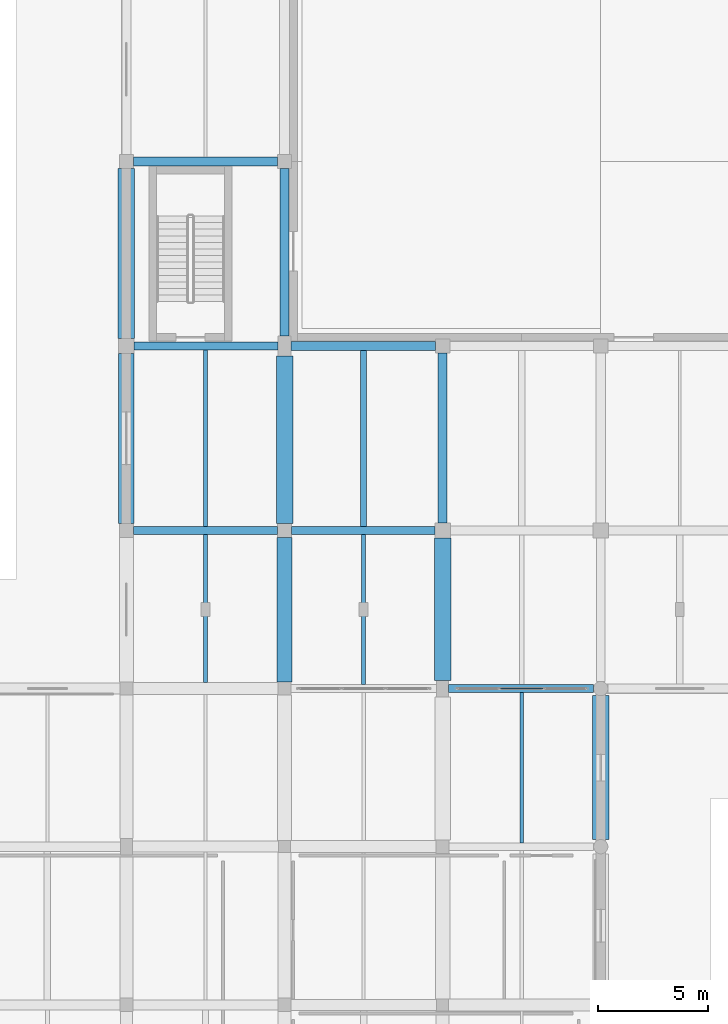
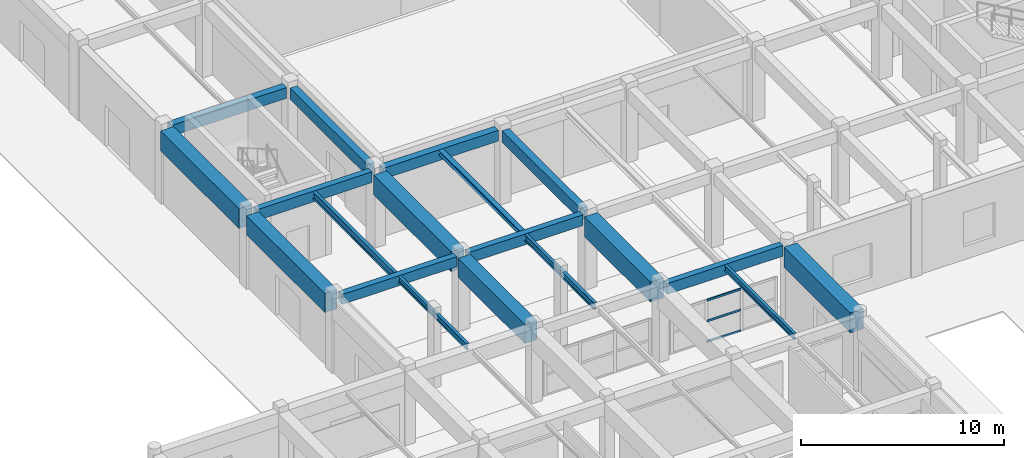
# One storey, part 8 of 72: 19 beams, 3 members, 1 element without a shape of its own.
"""IFC4 building model written with IfcOpenShell, lengths in metres."""

import ifcopenshell
import ifcopenshell.guid

model = None  # the IFC model being written
_history = None  # IfcOwnerHistory: only IFC2X3 demands one
_inside = {}  # id of a spatial element -> (the spatial element, [elements in it])
_under = {}  # id of a project, library or spatial element -> (it, [spatial elements below it])
_declared = {}  # id of a project -> (the project, [libraries it declares])
_typed = {}  # id of a type object -> (the type object, [elements of that type])
_made_of = {}  # id of a material, layer set ... -> (it, [elements and type objects made of it])


def new_model(schema):
    """Start an empty IFC model of exactly this schema.

    Asked for "IFC4X3", IfcOpenShell would pick the latest addendum, in which some entities
    have other attributes; the version numbers below select the first issue.
    IFC2X3 requires an IfcOwnerHistory on every rooted entity: one is made here for all.
    """
    global model, _history
    if schema == "IFC4X3":
        model = ifcopenshell.file(schema_version=(4, 3, 0, 0))
    else:
        model = ifcopenshell.file(schema=schema)
    _inside.clear()
    _under.clear()
    _declared.clear()
    _typed.clear()
    _made_of.clear()
    _history = None
    if model.schema == "IFC2X3":
        org = make("IfcOrganization", Name="unknown")
        user = make(
            "IfcPersonAndOrganization",
            ThePerson=make("IfcPerson", FamilyName="unknown"),
            TheOrganization=org,
        )
        app = make(
            "IfcApplication",
            ApplicationDeveloper=org,
            Version="unknown",
            ApplicationFullName="unknown",
            ApplicationIdentifier="unknown",
        )
        _history = make(
            "IfcOwnerHistory",
            OwningUser=user,
            OwningApplication=app,
            ChangeAction="ADDED",
            CreationDate=0,
        )
    return model


def make(cls, **values):
    """One entity of the class cls with the attributes given. An attribute that is None is left unset."""
    return model.create_entity(
        cls, **{name: value for name, value in values.items() if value is not None}
    )


def rooted(cls, **values):
    """An entity with a GlobalId (a new one), such as an element, a storey or a relation."""
    return make(cls, GlobalId=ifcopenshell.guid.new(), OwnerHistory=_history, **values)


def si_unit(unit_type, name, prefix=None):
    """IfcSIUnit, for example si_unit("LENGTHUNIT", "METRE", prefix="MILLI")."""
    return make("IfcSIUnit", UnitType=unit_type, Prefix=prefix, Name=name)


def assignment(units):
    """IfcUnitAssignment: the units of a project."""
    return None if units is None else make("IfcUnitAssignment", Units=units)


def point(xyz):
    """IfcCartesianPoint."""
    return None if xyz is None else make("IfcCartesianPoint", Coordinates=xyz)


def direction(xyz):
    """IfcDirection."""
    return None if xyz is None else make("IfcDirection", DirectionRatios=xyz)


def frame(location, z_axis=None, x_axis=None):
    """IfcAxis2Placement3D, a coordinate frame: its origin and axes. An axis left out is left unset."""
    return make(
        "IfcAxis2Placement3D",
        Location=point(location),
        Axis=direction(z_axis),
        RefDirection=direction(x_axis),
    )


def frame_2d(location, x_axis=None):
    """IfcAxis2Placement2D, a coordinate frame in the plane: its origin and x axis."""
    return make(
        "IfcAxis2Placement2D", Location=point(location), RefDirection=direction(x_axis)
    )


def origin():
    """The frame at (0, 0, 0) with its axes left unset."""
    return frame((0.0, 0.0, 0.0))


def origin_2d():
    """The frame at (0, 0) in the plane with its x axis left unset."""
    return frame_2d((0.0, 0.0))


def place(relative_to, where):
    """IfcLocalPlacement: puts the frame where relative to a parent placement (None: the world)."""
    return make(
        "IfcLocalPlacement", PlacementRelTo=relative_to, RelativePlacement=where
    )


def context(
    kind, dimensions, precision=None, world=None, true_north=None, identifier=None
):
    """IfcGeometricRepresentationContext, for example the 3D "Model" context."""
    return make(
        "IfcGeometricRepresentationContext",
        ContextIdentifier=identifier,
        ContextType=kind,
        CoordinateSpaceDimension=dimensions,
        Precision=precision,
        WorldCoordinateSystem=world,
        TrueNorth=true_north,
    )


def subcontext(parent, identifier, kind, view, scale=None):
    """IfcGeometricRepresentationSubContext, for example "Body" below "Model"."""
    return make(
        "IfcGeometricRepresentationSubContext",
        ContextIdentifier=identifier,
        ContextType=kind,
        ParentContext=parent,
        TargetScale=scale,
        TargetView=view,
    )


def project(units=None, contexts=None):
    """IfcProject with its units and contexts."""
    return rooted(
        "IfcProject",
        Name="project",
        RepresentationContexts=contexts,
        UnitsInContext=assignment(units),
    )


def spatial(cls, under=None, at=None, **own):
    """A site, building, storey or space (cls), placed at a placement, below another one or the project."""
    s = rooted(cls, ObjectPlacement=at, **own)
    if under is not None:
        _under.setdefault(under.id(), (under, []))[1].append(s)
    return s


def profile(cls, at=None, kind="AREA", **sizes):
    """A parametric profile (cls). Its sizes go by their IFC names, for example OverallWidth=200.0."""
    return make(cls, ProfileType=kind, Position=at, **sizes)


def rectangle(**sizes):
    """IfcRectangleProfileDef."""
    return profile("IfcRectangleProfileDef", **sizes)


def hollow_rectangle(**sizes):
    """IfcRectangleHollowProfileDef."""
    return profile("IfcRectangleHollowProfileDef", **sizes)


def i_section(**sizes):
    """IfcIShapeProfileDef."""
    return profile("IfcIShapeProfileDef", **sizes)


def extrude(swept, where, along, depth):
    """IfcExtrudedAreaSolid: the profile swept, set in the frame where, extruded along a direction by depth."""
    return make(
        "IfcExtrudedAreaSolid",
        SweptArea=swept,
        Position=where,
        ExtrudedDirection=direction(along),
        Depth=depth,
    )


def shape(context_of_items, identifier, shape_type, items):
    """IfcShapeRepresentation: the items that make up one representation, for example the "Body"."""
    return make(
        "IfcShapeRepresentation",
        ContextOfItems=context_of_items,
        RepresentationIdentifier=identifier,
        RepresentationType=shape_type,
        Items=items,
    )


def material(Name=None, Category=None):
    """IfcMaterial."""
    return make("IfcMaterial", Name=Name, Category=Category)


def material_profile(
    of_material, cross_section, Name=None, Category=None, Priority=None
):
    """IfcMaterialProfile: a cross section and its material."""
    return make(
        "IfcMaterialProfile",
        Name=Name,
        Material=of_material,
        Profile=cross_section,
        Priority=Priority,
        Category=Category,
    )


def profile_set(profiles, Name=None, composite=None):
    """IfcMaterialProfileSet."""
    return make(
        "IfcMaterialProfileSet",
        Name=Name,
        MaterialProfiles=profiles,
        CompositeProfile=composite,
    )


def made_of(thing, what):
    """Note that an element or type object is made of a material, layer set ...; save() writes the relation."""
    if what is not None:
        _made_of.setdefault(what.id(), (what, []))[1].append(thing)
    return thing


def type_object(cls, material=None, **own):
    """A type object (cls), such as IfcWallType, which elements share."""
    return made_of(rooted(cls, **own), material)


def element(
    cls,
    number,
    at=None,
    inside=None,
    cuts=None,
    type_object=None,
    material=None,
    context=None,
    identifier="Body",
    shape_type=None,
    held_by="IfcProductDefinitionShape",
    body=None,
    shapes=None,
    **own,
):
    """One element of the class cls, such as IfcWall. Its Tag is "e" and its number.

    at: its placement. inside: the storey or other place that contains it. cuts: it is an
    opening in that element (IfcRelVoidsElement). A single representation is given by context,
    identifier, shape_type and body (its items); several are given by shapes. held_by: the class
    of the entity that holds the representations. save() writes the other relations.
    """
    e = rooted(cls, Tag="e%d" % number, ObjectPlacement=at, **own)
    if body is not None:
        shapes = [shape(context, identifier, shape_type, body)]
    if shapes is not None:
        e.Representation = make(held_by, Representations=shapes)
    if inside is not None:
        _inside.setdefault(inside.id(), (inside, []))[1].append(e)
    if cuts is not None:
        rooted(
            "IfcRelVoidsElement", RelatingBuildingElement=cuts, RelatedOpeningElement=e
        )
    if type_object is not None:
        _typed.setdefault(type_object.id(), (type_object, []))[1].append(e)
    return made_of(e, material)


def aggregate(whole, parts):
    """IfcRelAggregates: a whole, such as a stair, and the parts it consists of."""
    return rooted("IfcRelAggregates", RelatingObject=whole, RelatedObjects=parts)


def save(model, path):
    """Write the relations noted so far, then the file.

    IfcRelAggregates (storeys below a building ...), IfcRelContainedInSpatialStructure (elements
    in a storey), IfcRelDefinesByType, IfcRelAssociatesMaterial and IfcRelDeclares: one each for
    every whole, place, type object, material and project.
    """
    for whole, parts in _under.values():
        aggregate(whole, parts)
    for where, things in _inside.values():
        rooted(
            "IfcRelContainedInSpatialStructure",
            RelatedElements=things,
            RelatingStructure=where,
        )
    for kind, things in _typed.values():
        rooted("IfcRelDefinesByType", RelatedObjects=things, RelatingType=kind)
    for what, things in _made_of.values():
        rooted("IfcRelAssociatesMaterial", RelatedObjects=things, RelatingMaterial=what)
    for by, libraries in _declared.values():
        rooted("IfcRelDeclares", RelatingContext=by, RelatedDefinitions=libraries)
    model.write(path)


model = new_model("IFC4")

# Units and contexts
model_context = context("Model", 3, precision=1e-05, world=origin(), true_north=direction((0.0, 1.0)))
body_context = subcontext(model_context, "Body", "Model", "MODEL_VIEW")
ifc_project = project(units=[si_unit("LENGTHUNIT", "METRE"), si_unit("AREAUNIT", "SQUARE_METRE"), si_unit("VOLUMEUNIT", "CUBIC_METRE"), si_unit("PLANEANGLEUNIT", "RADIAN"), si_unit("MASSUNIT", "GRAM", prefix="KILO")], contexts=[model_context])

# Site, building, storey
site_placement = place(None, origin())
site = spatial("IfcSite", under=ifc_project, at=site_placement, CompositionType="ELEMENT")
building_placement = place(site_placement, origin())
building = spatial("IfcBuilding", under=site, at=building_placement, Name="Korsvaeld Concert Hall", CompositionType="ELEMENT")
storey_placement = place(building_placement, origin())
storey = spatial("IfcBuildingStorey", under=building, at=storey_placement, Name="L00", CompositionType="ELEMENT", Elevation=0.0)

# Beams
ifc_material_1 = material(Name="Concrete C35/45", Category="concrete")
ifc_material_profile_1 = material_profile(ifc_material_1, rectangle(XDim=0.35009765625, YDim=0.60009765625, at=origin_2d()), Name="RC 350x600")
ifc_profile_set_1 = profile_set([ifc_material_profile_1], Name="Concrete C35/45")
beam_type_1 = type_object("IfcBeamType", Name="BM-RC-350x600", PredefinedType="T_BEAM", material=ifc_profile_set_1)
beam_1_placement = place(storey_placement, frame((14.72509765625, 43.199951171875, 4.139892578125), z_axis=(1.0, 0.0, 0.0), x_axis=(0.0, 1.0, 0.0)))
element("IfcBeam", 1, at=beam_1_placement, inside=storey, type_object=beam_type_1, Name="Primary girder 3-4/G L00", PredefinedType="T_BEAM", context=body_context, shape_type="SweptSolid", body=[
    extrude(rectangle(XDim=0.35009765625, YDim=0.60009765625, at=origin_2d()), origin(), (0.0, 0.0, 1.0), 6.5498046875),
])
ifc_material_profile_2 = material_profile(ifc_material_1, rectangle(XDim=0.35009765625, YDim=0.64990234375, at=origin_2d()), Name="RC 350x650")
ifc_profile_set_2 = profile_set([ifc_material_profile_2], Name="Concrete C35/45")
beam_type_2 = type_object("IfcBeamType", Name="BM-RC-350x650", PredefinedType="T_BEAM", material=ifc_profile_set_2)
beam_2_placement = place(storey_placement, frame((29.074951171875, 36.0, 4.114990234375), z_axis=(1.0, 0.0, 0.0), x_axis=(0.0, 1.0, 0.0)))
element("IfcBeam", 2, at=beam_2_placement, inside=storey, type_object=beam_type_2, Name="Primary girder 5-6/F L00", PredefinedType="T_BEAM", context=body_context, shape_type="SweptSolid", body=[
    extrude(rectangle(XDim=0.35009765625, YDim=0.64990234375, at=origin_2d()), origin(), (0.0, 0.0, 1.0), 6.60009765625),
])
beam_3_placement = place(storey_placement, frame((21.925048828125, 43.199951171875, 4.114990234375), z_axis=(1.0, 0.0, 0.0), x_axis=(0.0, 1.0, 0.0)))
element("IfcBeam", 3, at=beam_3_placement, inside=storey, type_object=beam_type_2, Name="Primary girder 4-5/G L00", PredefinedType="T_BEAM", context=body_context, shape_type="SweptSolid", body=[
    extrude(rectangle(XDim=0.35009765625, YDim=0.64990234375, at=origin_2d()), origin(), (0.0, 0.0, 1.0), 6.52490234375),
])
beam_4_placement = place(storey_placement, frame((14.75, 51.60009765625, 4.114990234375), z_axis=(1.0, 0.0, 0.0), x_axis=(0.0, 1.0, 0.0)))
element("IfcBeam", 4, at=beam_4_placement, inside=storey, type_object=beam_type_2, Name="Primary girder 3-4/H L00", PredefinedType="T_BEAM", context=body_context, shape_type="SweptSolid", body=[
    extrude(rectangle(XDim=0.35009765625, YDim=0.64990234375, at=origin_2d()), origin(), (0.0, 0.0, 1.0), 6.550048828125),
])
ifc_material_profile_3 = material_profile(ifc_material_1, rectangle(XDim=0.39990234375, YDim=0.64990234375, at=origin_2d()), Name="RC 400x650")
ifc_profile_set_3 = profile_set([ifc_material_profile_3], Name="Concrete C35/45")
beam_type_3 = type_object("IfcBeamType", Name="BM-RC-400x650", PredefinedType="T_BEAM", material=ifc_profile_set_3)
beam_5_placement = place(storey_placement, frame((21.89990234375, 51.60009765625, 4.114990234375), z_axis=(1.0, 0.0, 0.0), x_axis=(0.0, 1.0, 0.0)))
element("IfcBeam", 5, at=beam_5_placement, inside=storey, type_object=beam_type_3, Name="Primary girder 4-5/H L00", PredefinedType="T_BEAM", context=body_context, shape_type="SweptSolid", body=[
    extrude(rectangle(XDim=0.39990234375, YDim=0.64990234375, at=origin_2d()), origin(), (0.0, 0.0, 1.0), 6.5751953125),
])
beam_6_placement = place(storey_placement, frame((14.72509765625, 60.0, 4.114990234375), z_axis=(1.0, 0.0, 0.0), x_axis=(0.0, 1.0, 0.0)))
element("IfcBeam", 6, at=beam_6_placement, inside=storey, type_object=beam_type_3, Name="Primary girder 3-4/J L00", PredefinedType="T_BEAM", context=body_context, shape_type="SweptSolid", body=[
    extrude(rectangle(XDim=0.39990234375, YDim=0.64990234375, at=origin_2d()), origin(), (0.0, 0.0, 1.0), 6.5498046875),
])
ifc_material_profile_4 = material_profile(ifc_material_1, rectangle(XDim=0.39990234375, YDim=0.699951171875, at=origin_2d()), Name="RC 400x700")
ifc_profile_set_4 = profile_set([ifc_material_profile_4], Name="Concrete C35/45")
beam_type_4 = type_object("IfcBeamType", Name="BM-RC-400x700", PredefinedType="T_BEAM", material=ifc_profile_set_4)
beam_7_placement = place(storey_placement, frame((21.60009765625, 52.050048828125, 4.090087890625), z_axis=(0.0, 1.0, 0.0), x_axis=(-1.0, 0.0, 0.0)))
element("IfcBeam", 7, at=beam_7_placement, inside=storey, type_object=beam_type_4, Name="Primary girder 4/H-J L00", PredefinedType="T_BEAM", context=body_context, shape_type="SweptSolid", body=[
    extrude(rectangle(XDim=0.39990234375, YDim=0.699951171875, at=origin_2d()), origin(), (0.0, 0.0, 1.0), 7.625),
])
beam_8_placement = place(storey_placement, frame((28.800048828125, 43.550048828125, 4.090087890625), z_axis=(0.0, 1.0, 0.0), x_axis=(-1.0, 0.0, 0.0)))
element("IfcBeam", 8, at=beam_8_placement, inside=storey, type_object=beam_type_4, Name="Primary girder 5/G-H L00", PredefinedType="T_BEAM", context=body_context, shape_type="SweptSolid", body=[
    extrude(rectangle(XDim=0.39990234375, YDim=0.699951171875, at=origin_2d()), origin(), (0.0, 0.0, 1.0), 7.724853515625),
])
ifc_material_2 = material(Name="Concrete C40/50", Category="concrete")
ifc_material_profile_5 = material_profile(ifc_material_2, rectangle(XDim=0.699951171875, YDim=1.14990234375, at=origin_2d()), Name="RC 700x1150")
ifc_profile_set_5 = profile_set([ifc_material_profile_5], Name="Concrete C40/50")
beam_type_5 = type_object("IfcBeamType", Name="BM-RC-700x1150", PredefinedType="T_BEAM", material=ifc_profile_set_5)
beam_9_placement = place(storey_placement, frame((14.39990234375, 43.52490234375, 3.864990234375), z_axis=(0.0, 1.0, 0.0), x_axis=(-1.0, 0.0, 0.0)))
element("IfcBeam", 9, at=beam_9_placement, inside=storey, type_object=beam_type_5, Name="Primary girder 3/G-H L00", PredefinedType="T_BEAM", context=body_context, shape_type="SweptSolid", body=[
    extrude(rectangle(XDim=0.699951171875, YDim=1.14990234375, at=origin_2d()), origin(), (0.0, 0.0, 1.0), 7.72509765625),
])
beam_10_placement = place(storey_placement, frame((21.60009765625, 36.300048828125, 3.864990234375), z_axis=(0.0, 1.0, 0.0), x_axis=(-1.0, 0.0, 0.0)))
element("IfcBeam", 10, at=beam_10_placement, inside=storey, type_object=beam_type_5, Name="Primary girder 4/F-G L00", PredefinedType="T_BEAM", context=body_context, shape_type="SweptSolid", body=[
    extrude(rectangle(XDim=0.699951171875, YDim=1.14990234375, at=origin_2d()), origin(), (0.0, 0.0, 1.0), 6.574951171875),
])
ifc_material_profile_6 = material_profile(ifc_material_2, rectangle(XDim=0.75, YDim=1.199951171875, at=origin_2d()), Name="RC 750x1200")
ifc_profile_set_6 = profile_set([ifc_material_profile_6], Name="Concrete C40/50")
beam_type_6 = type_object("IfcBeamType", Name="BM-RC-750x1200", PredefinedType="T_BEAM", material=ifc_profile_set_6)
beam_11_placement = place(storey_placement, frame((14.39990234375, 51.949951171875, 3.840087890625), z_axis=(0.0, 1.0, 0.0), x_axis=(-1.0, 0.0, 0.0)))
element("IfcBeam", 11, at=beam_11_placement, inside=storey, type_object=beam_type_6, Name="Primary girder 3/H-J L00", PredefinedType="T_BEAM", context=body_context, shape_type="SweptSolid", body=[
    extrude(rectangle(XDim=0.75, YDim=1.199951171875, at=origin_2d()), origin(), (0.0, 0.0, 1.0), 7.72509765625),
])
beam_12_placement = place(storey_placement, frame((21.60009765625, 43.52490234375, 3.840087890625), z_axis=(0.0, 1.0, 0.0), x_axis=(-1.0, 0.0, 0.0)))
element("IfcBeam", 12, at=beam_12_placement, inside=storey, type_object=beam_type_6, Name="Primary girder 4/G-H L00", PredefinedType="T_BEAM", context=body_context, shape_type="SweptSolid", body=[
    extrude(rectangle(XDim=0.75, YDim=1.199951171875, at=origin_2d()), origin(), (0.0, 0.0, 1.0), 7.625),
])
beam_13_placement = place(storey_placement, frame((28.800048828125, 36.375, 3.840087890625), z_axis=(0.0, 1.0, 0.0), x_axis=(-1.0, 0.0, 0.0)))
element("IfcBeam", 13, at=beam_13_placement, inside=storey, type_object=beam_type_6, Name="Primary girder 5/F-G L00", PredefinedType="T_BEAM", context=body_context, shape_type="SweptSolid", body=[
    extrude(rectangle(XDim=0.75, YDim=1.199951171875, at=origin_2d()), origin(), (0.0, 0.0, 1.0), 6.47509765625),
])
beam_14_placement = place(storey_placement, frame((36.0, 29.125, 3.840087890625), z_axis=(0.0, 1.0, 0.0), x_axis=(-1.0, 0.0, 0.0)))
element("IfcBeam", 14, at=beam_14_placement, inside=storey, type_object=beam_type_6, Name="Primary girder 6/E-F L00", PredefinedType="T_BEAM", context=body_context, shape_type="SweptSolid", body=[
    extrude(rectangle(XDim=0.75, YDim=1.199951171875, at=origin_2d()), origin(), (0.0, 0.0, 1.0), 6.550048828125),
])
ifc_material_3 = material(Name="Steel S355J2", Category="steel")
ifc_material_profile_7 = material_profile(ifc_material_3, i_section(OverallWidth=0.280029296875, OverallDepth=0.27001953125, WebThickness=0.008056640625, FlangeThickness=0.012939453125, FilletRadius=0.02392578125, at=origin_2d()), Name="HEA 280")
ifc_profile_set_7 = profile_set([ifc_material_profile_7], Name="Steel S355J2")
beam_type_7 = type_object("IfcBeamType", Name="BM-STL-HEA280", PredefinedType="BEAM", material=ifc_profile_set_7)
beam_15_placement = place(storey_placement, frame((25.199951171875, 43.375, 4.304931640625), z_axis=(0.0, 1.0, 0.0), x_axis=(-1.0, 0.0, 0.0)))
element("IfcBeam", 15, at=beam_15_placement, inside=storey, type_object=beam_type_7, Name="Secondary steel floor beam 4-5/G L00", PredefinedType="BEAM", context=body_context, shape_type="SweptSolid", body=[
    extrude(i_section(OverallWidth=0.280029296875, OverallDepth=0.27001953125, WebThickness=0.008056640625, FlangeThickness=0.012939453125, FilletRadius=0.02392578125, at=origin_2d()), origin(), (0.0, 0.0, 1.0), 8.02490234375),
])
ifc_material_profile_8 = material_profile(ifc_material_3, i_section(OverallWidth=0.169921875, OverallDepth=0.360107421875, WebThickness=0.008056640625, FlangeThickness=0.0126953125, FilletRadius=0.01806640625, at=origin_2d()), Name="IPE 360")
ifc_profile_set_8 = profile_set([ifc_material_profile_8], Name="Steel S355J2")
beam_type_8 = type_object("IfcBeamType", Name="BM-STL-IPE360", PredefinedType="BEAM", material=ifc_profile_set_8)
beam_16_placement = place(storey_placement, frame((18.0, 36.27490234375, 4.260009765625), z_axis=(0.0, 1.0, 0.0), x_axis=(-1.0, 0.0, 0.0)))
element("IfcBeam", 16, at=beam_16_placement, inside=storey, type_object=beam_type_8, Name="Secondary steel floor beam 3-4/F L00", PredefinedType="BEAM", context=body_context, shape_type="SweptSolid", body=[
    extrude(i_section(OverallWidth=0.169921875, OverallDepth=0.360107421875, WebThickness=0.008056640625, FlangeThickness=0.0126953125, FilletRadius=0.01806640625, at=origin_2d()), origin(), (0.0, 0.0, 1.0), 6.75),
])
beam_17_placement = place(storey_placement, frame((32.39990234375, 28.97509765625, 4.260009765625), z_axis=(0.0, 1.0, 0.0), x_axis=(-1.0, 0.0, 0.0)))
element("IfcBeam", 17, at=beam_17_placement, inside=storey, type_object=beam_type_8, Name="Secondary steel floor beam 5-6/E L00", PredefinedType="BEAM", context=body_context, shape_type="SweptSolid", body=[
    extrude(i_section(OverallWidth=0.169921875, OverallDepth=0.360107421875, WebThickness=0.008056640625, FlangeThickness=0.0126953125, FilletRadius=0.01806640625, at=origin_2d()), origin(), (0.0, 0.0, 1.0), 6.849853515625),
])
ifc_material_profile_9 = material_profile(ifc_material_3, i_section(OverallWidth=0.179931640625, OverallDepth=0.39990234375, WebThickness=0.008544921875, FlangeThickness=0.013427734375, FilletRadius=0.02099609375, at=origin_2d()), Name="IPE 400")
ifc_profile_set_9 = profile_set([ifc_material_profile_9], Name="Steel S355J2")
beam_type_9 = type_object("IfcBeamType", Name="BM-STL-IPE400", PredefinedType="BEAM", material=ifc_profile_set_9)
beam_18_placement = place(storey_placement, frame((25.199951171875, 36.175048828125, 4.239990234375), z_axis=(0.0, 1.0, 0.0), x_axis=(-1.0, 0.0, 0.0)))
element("IfcBeam", 18, at=beam_18_placement, inside=storey, type_object=beam_type_9, Name="Secondary steel floor beam 4-5/F L00", PredefinedType="BEAM", context=body_context, shape_type="SweptSolid", body=[
    extrude(i_section(OverallWidth=0.179931640625, OverallDepth=0.39990234375, WebThickness=0.008544921875, FlangeThickness=0.013427734375, FilletRadius=0.02099609375, at=origin_2d()), origin(), (0.0, 0.0, 1.0), 6.849853515625),
])
ifc_material_profile_10 = material_profile(ifc_material_3, i_section(OverallWidth=0.18994140625, OverallDepth=0.449951171875, WebThickness=0.009521484375, FlangeThickness=0.0146484375, FilletRadius=0.02099609375, at=origin_2d()), Name="IPE 450")
ifc_profile_set_10 = profile_set([ifc_material_profile_10], Name="Steel S355J2")
beam_type_10 = type_object("IfcBeamType", Name="BM-STL-IPE450", PredefinedType="BEAM", material=ifc_profile_set_10)
beam_19_placement = place(storey_placement, frame((18.0, 43.375, 4.215087890625), z_axis=(0.0, 1.0, 0.0), x_axis=(-1.0, 0.0, 0.0)))
element("IfcBeam", 19, at=beam_19_placement, inside=storey, type_object=beam_type_10, Name="Secondary steel floor beam 3-4/G L00", PredefinedType="BEAM", context=body_context, shape_type="SweptSolid", body=[
    extrude(i_section(OverallWidth=0.18994140625, OverallDepth=0.449951171875, WebThickness=0.009521484375, FlangeThickness=0.0146484375, FilletRadius=0.02099609375, at=origin_2d()), origin(), (0.0, 0.0, 1.0), 8.050048828125),
])

# Curtain wall, members
ifc_material_4 = material(Name="Anodised bronze and ceramic-fritted safety glass", Category="glass")
curtain_wall_type = type_object("IfcCurtainWallType", Name="CW-TYPE-12", PredefinedType="USERDEFINED", material=ifc_material_4)
curtain_wall_placement = place(storey_placement, origin())
curtain_wall = element("IfcCurtainWall", 20, at=curtain_wall_placement, inside=storey, type_object=curtain_wall_type, Name="Glazed foyer acoustic screen L00-44", ObjectType="CURTAIN WALL", PredefinedType="USERDEFINED")
ifc_material_5 = material(Name="Anodised architectural bronze aluminium", Category="aluminium")
ifc_material_profile_11 = material_profile(ifc_material_5, hollow_rectangle(XDim=0.06005859375, YDim=0.1201171875, WallThickness=0.00390625, at=origin_2d()), Name="CWT 120x60x4")
ifc_profile_set_11 = profile_set([ifc_material_profile_11], Name="Anodised architectural bronze aluminium")
member_type = type_object("IfcMemberType", Name="CWT-ALUM-120x60", PredefinedType="USERDEFINED", material=ifc_profile_set_11)
member_1_placement = place(storey_placement, frame((31.429931640625, 36.0, 0.030029296875), z_axis=(1.0, 0.0, 0.0), x_axis=(0.0, 1.0, 0.0)))
member_1 = element("IfcMember", 21, at=member_1_placement, type_object=member_type, Name="CW-12 transom 2.1", ObjectType="TRANSOM", PredefinedType="USERDEFINED", context=body_context, shape_type="SweptSolid", body=[
    extrude(hollow_rectangle(XDim=0.06005859375, YDim=0.1201171875, WallThickness=0.00390625, at=origin_2d()), origin(), (0.0, 0.0, 1.0), 1.940185546875),
])
member_2_placement = place(storey_placement, frame((31.429931640625, 36.0, 1.27490234375), z_axis=(1.0, 0.0, 0.0), x_axis=(0.0, 1.0, 0.0)))
member_2 = element("IfcMember", 22, at=member_2_placement, type_object=member_type, Name="CW-12 transom 2.2", ObjectType="TRANSOM", PredefinedType="USERDEFINED", context=body_context, shape_type="SweptSolid", body=[
    extrude(hollow_rectangle(XDim=0.06005859375, YDim=0.1201171875, WallThickness=0.00390625, at=origin_2d()), origin(), (0.0, 0.0, 1.0), 1.940185546875),
])
member_3_placement = place(storey_placement, frame((31.429931640625, 36.0, 2.52001953125), z_axis=(1.0, 0.0, 0.0), x_axis=(0.0, 1.0, 0.0)))
member_3 = element("IfcMember", 23, at=member_3_placement, type_object=member_type, Name="CW-12 transom 2.3", ObjectType="TRANSOM", PredefinedType="USERDEFINED", context=body_context, shape_type="SweptSolid", body=[
    extrude(hollow_rectangle(XDim=0.06005859375, YDim=0.1201171875, WallThickness=0.00390625, at=origin_2d()), origin(), (0.0, 0.0, 1.0), 1.940185546875),
])
aggregate(curtain_wall, [member_1, member_2, member_3])

save(model, "model.ifc")
